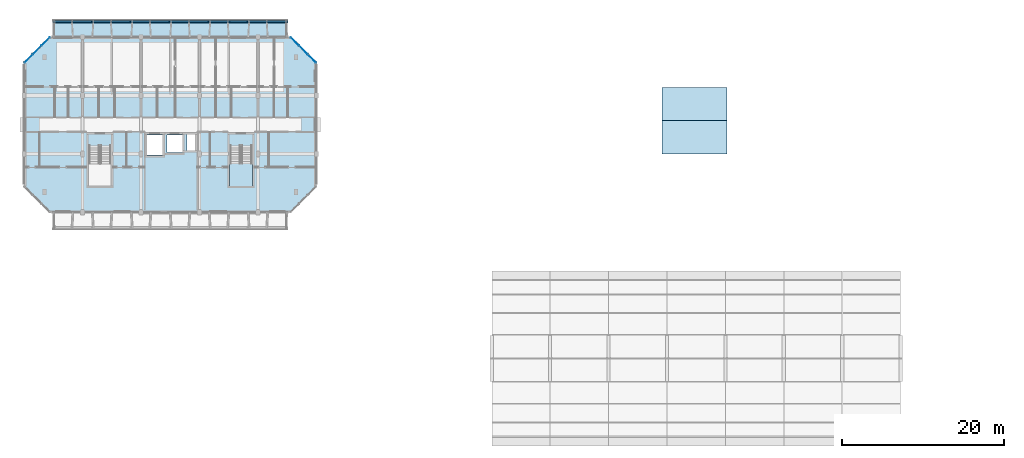
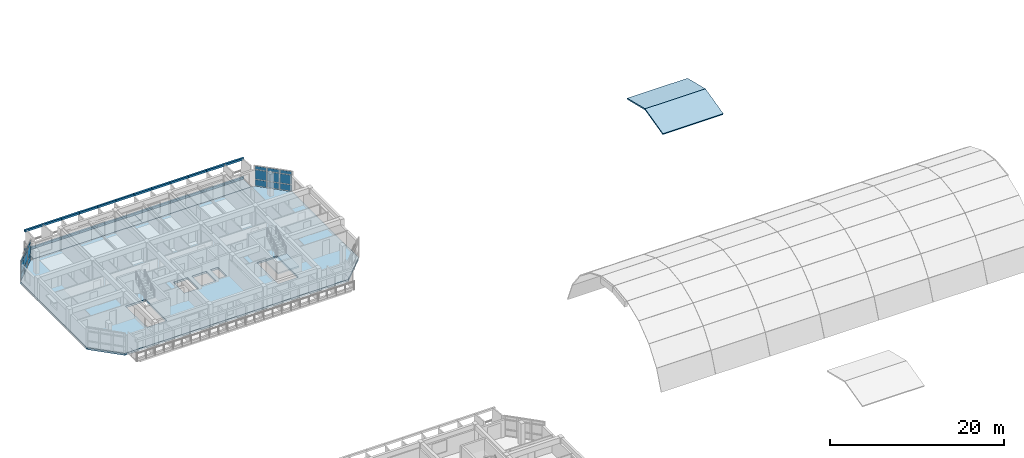
# One storey, part 16 of 51: 42 plates, 6 slabs, 3 elements without a shape of their own.
"""IFC4 building model written with IfcOpenShell, lengths in metres."""

from ifc_helpers import new_model, si_unit, direction, frame, origin, origin_2d, place, context, subcontext, project, spatial, polyline, rectangle, outline, extrude, material, layer, layer_set, type_object, element, aggregate, save


model = new_model("IFC4")

# Units and contexts
model_context = context("Model", 3, precision=1e-05, world=origin(), true_north=direction((0.0, 1.0)))
body_context = subcontext(model_context, "Body", "Model", "MODEL_VIEW")
ifc_project = project(units=[si_unit("LENGTHUNIT", "METRE"), si_unit("AREAUNIT", "SQUARE_METRE"), si_unit("VOLUMEUNIT", "CUBIC_METRE"), si_unit("PLANEANGLEUNIT", "RADIAN"), si_unit("MASSUNIT", "GRAM", prefix="KILO")], contexts=[model_context])

# Site, building, storey
site_placement = place(None, origin())
site = spatial("IfcSite", under=ifc_project, at=site_placement, CompositionType="ELEMENT")
building_placement = place(site_placement, origin())
building = spatial("IfcBuilding", under=site, at=building_placement, Name="Ochrevale Crest", CompositionType="ELEMENT")
storey_placement = place(building_placement, frame((0.0, 0.0, 11.85009765625)))
storey = spatial("IfcBuildingStorey", under=building, at=storey_placement, Name="L03", CompositionType="ELEMENT", Elevation=11.85009765625)

# Curtain wall, plates
ifc_material_1 = material(Name="Anodised aluminium 6063-T5", Category="aluminium")
ifc_layer_1 = layer(ifc_material_1, 0.14990234375)
ifc_layer_set_1 = layer_set([ifc_layer_1], Name="Anodised aluminium 6063-T5")
curtain_wall_type_1 = type_object("IfcCurtainWallType", Name="CW-WG-320x285", PredefinedType="NOTDEFINED", material=ifc_layer_set_1)
curtain_wall_1_placement = place(storey_placement, origin())
curtain_wall_1 = element("IfcCurtainWall", 1, at=curtain_wall_1_placement, inside=storey, type_object=curtain_wall_type_1, Name="Block B L03 chamfered corner wintergarden curtain wall 4", PredefinedType="NOTDEFINED")
ifc_material_2 = material(Name="Double-glazed low-E insulated glass unit", Category="glass")
ifc_layer_2 = layer(ifc_material_2, 0.028076171875)
ifc_layer_set_2 = layer_set([ifc_layer_2], Name="Double-glazed low-E insulated glass unit")
plate_type_1 = type_object("IfcPlateType", Name="CW-PNL-IGU28", PredefinedType="CURTAIN_PANEL", material=ifc_layer_set_2)
plate_1_placement = place(storey_placement, frame((35.453369140625, 90.946533203125, 0.06005859375), z_axis=(0.0, 0.0, 1.0), x_axis=(-0.707106781187, 0.707106781187, 0.0)))
plate_1 = element("IfcPlate", 2, at=plate_1_placement, type_object=plate_type_1, Name="CW17 panel 1.1", PredefinedType="CURTAIN_PANEL", context=body_context, shape_type="SweptSolid", body=[
    extrude(rectangle(XDim=1.39599609375, YDim=0.028076171875, at=origin_2d()), origin(), (0.0, 0.0, 1.0), 0.860107421875),
])
plate_2_placement = place(storey_placement, frame((35.453369140625, 90.946533203125, 0.97998046875), z_axis=(0.0, 0.0, 1.0), x_axis=(-0.707106781187, 0.707106781187, 0.0)))
plate_2 = element("IfcPlate", 3, at=plate_2_placement, type_object=plate_type_1, Name="CW17 panel 1.2", PredefinedType="CURTAIN_PANEL", context=body_context, shape_type="SweptSolid", body=[
    extrude(rectangle(XDim=1.39599609375, YDim=0.028076171875, at=origin_2d()), origin(), (0.0, 0.0, 1.0), 1.31494140625),
])
plate_3_placement = place(storey_placement, frame((35.453369140625, 90.946533203125, 2.35498046875), z_axis=(0.0, 0.0, 1.0), x_axis=(-0.707106781187, 0.707106781187, 0.0)))
plate_3 = element("IfcPlate", 4, at=plate_3_placement, type_object=plate_type_1, Name="CW17 panel 1.3", PredefinedType="CURTAIN_PANEL", context=body_context, shape_type="SweptSolid", body=[
    extrude(rectangle(XDim=1.39599609375, YDim=0.028076171875, at=origin_2d()), origin(), (0.0, 0.0, 1.0), 0.4599609375),
])
plate_4_placement = place(storey_placement, frame((34.39990234375, 92.0, 0.06005859375), z_axis=(0.0, 0.0, 1.0), x_axis=(-0.707106781187, 0.707106781187, 0.0)))
plate_4 = element("IfcPlate", 5, at=plate_4_placement, type_object=plate_type_1, Name="CW17 panel 2.1", PredefinedType="CURTAIN_PANEL", context=body_context, shape_type="SweptSolid", body=[
    extrude(rectangle(XDim=1.43359375, YDim=0.028076171875, at=origin_2d()), origin(), (0.0, 0.0, 1.0), 0.860107421875),
])
plate_5_placement = place(storey_placement, frame((34.39990234375, 92.0, 0.97998046875), z_axis=(0.0, 0.0, 1.0), x_axis=(-0.707106781187, 0.707106781187, 0.0)))
plate_5 = element("IfcPlate", 6, at=plate_5_placement, type_object=plate_type_1, Name="CW17 panel 2.2", PredefinedType="CURTAIN_PANEL", context=body_context, shape_type="SweptSolid", body=[
    extrude(rectangle(XDim=1.43359375, YDim=0.028076171875, at=origin_2d()), origin(), (0.0, 0.0, 1.0), 1.31494140625),
])
plate_6_placement = place(storey_placement, frame((34.39990234375, 92.0, 2.35498046875), z_axis=(0.0, 0.0, 1.0), x_axis=(-0.707106781187, 0.707106781187, 0.0)))
plate_6 = element("IfcPlate", 7, at=plate_6_placement, type_object=plate_type_1, Name="CW17 panel 2.3", PredefinedType="CURTAIN_PANEL", context=body_context, shape_type="SweptSolid", body=[
    extrude(rectangle(XDim=1.43359375, YDim=0.028076171875, at=origin_2d()), origin(), (0.0, 0.0, 1.0), 0.4599609375),
])
plate_7_placement = place(storey_placement, frame((33.3466796875, 93.053466796875, 0.06005859375), z_axis=(0.0, 0.0, 1.0), x_axis=(-0.707106781187, 0.707106781187, 0.0)))
plate_7 = element("IfcPlate", 8, at=plate_7_placement, type_object=plate_type_1, Name="CW17 panel 3.1", PredefinedType="CURTAIN_PANEL", context=body_context, shape_type="SweptSolid", body=[
    extrude(rectangle(XDim=1.39599609375, YDim=0.028076171875, at=origin_2d()), origin(), (0.0, 0.0, 1.0), 0.860107421875),
])
plate_8_placement = place(storey_placement, frame((33.3466796875, 93.053466796875, 0.97998046875), z_axis=(0.0, 0.0, 1.0), x_axis=(-0.707106781187, 0.707106781187, 0.0)))
plate_8 = element("IfcPlate", 9, at=plate_8_placement, type_object=plate_type_1, Name="CW17 panel 3.2", PredefinedType="CURTAIN_PANEL", context=body_context, shape_type="SweptSolid", body=[
    extrude(rectangle(XDim=1.39599609375, YDim=0.028076171875, at=origin_2d()), origin(), (0.0, 0.0, 1.0), 1.31494140625),
])
plate_9_placement = place(storey_placement, frame((33.3466796875, 93.053466796875, 2.35498046875), z_axis=(0.0, 0.0, 1.0), x_axis=(-0.707106781187, 0.707106781187, 0.0)))
plate_9 = element("IfcPlate", 10, at=plate_9_placement, type_object=plate_type_1, Name="CW17 panel 3.3", PredefinedType="CURTAIN_PANEL", context=body_context, shape_type="SweptSolid", body=[
    extrude(rectangle(XDim=1.39599609375, YDim=0.028076171875, at=origin_2d()), origin(), (0.0, 0.0, 1.0), 0.4599609375),
])
aggregate(curtain_wall_1, [plate_1, plate_2, plate_3, plate_4, plate_5, plate_6, plate_7, plate_8, plate_9])

ifc_layer_3 = layer(ifc_material_1, 0.14990234375)
ifc_layer_set_3 = layer_set([ifc_layer_3], Name="Anodised aluminium 6063-T5")
curtain_wall_type_2 = type_object("IfcCurtainWallType", Name="CW-WG-420x285", PredefinedType="NOTDEFINED", material=ifc_layer_set_3)
curtain_wall_2_placement = place(storey_placement, origin())
curtain_wall_2 = element("IfcCurtainWall", 11, at=curtain_wall_2_placement, inside=storey, type_object=curtain_wall_type_2, Name="Block B L03 chamfered corner wintergarden curtain wall 6", PredefinedType="NOTDEFINED")
plate_10_placement = place(storey_placement, frame((2.6533203125, 93.053466796875, 0.06005859375), z_axis=(0.0, 0.0, 1.0), x_axis=(-0.707106781187, -0.707106781187, 0.0)))
plate_10 = element("IfcPlate", 12, at=plate_10_placement, type_object=plate_type_1, Name="CW22 panel 1.1", PredefinedType="CURTAIN_PANEL", context=body_context, shape_type="SweptSolid", body=[
    extrude(rectangle(XDim=1.39599609375, YDim=0.028076171875, at=origin_2d()), origin(), (0.0, 0.0, 1.0), 0.860107421875),
])
plate_11_placement = place(storey_placement, frame((2.6533203125, 93.053466796875, 0.97998046875), z_axis=(0.0, 0.0, 1.0), x_axis=(-0.707106781187, -0.707106781187, 0.0)))
plate_11 = element("IfcPlate", 13, at=plate_11_placement, type_object=plate_type_1, Name="CW22 panel 1.2", PredefinedType="CURTAIN_PANEL", context=body_context, shape_type="SweptSolid", body=[
    extrude(rectangle(XDim=1.39599609375, YDim=0.028076171875, at=origin_2d()), origin(), (0.0, 0.0, 1.0), 1.31494140625),
])
plate_12_placement = place(storey_placement, frame((2.6533203125, 93.053466796875, 2.35498046875), z_axis=(0.0, 0.0, 1.0), x_axis=(-0.707106781187, -0.707106781187, 0.0)))
plate_12 = element("IfcPlate", 14, at=plate_12_placement, type_object=plate_type_1, Name="CW22 panel 1.3", PredefinedType="CURTAIN_PANEL", context=body_context, shape_type="SweptSolid", body=[
    extrude(rectangle(XDim=1.39599609375, YDim=0.028076171875, at=origin_2d()), origin(), (0.0, 0.0, 1.0), 0.4599609375),
])
plate_13_placement = place(storey_placement, frame((1.60009765625, 92.0, 0.06005859375), z_axis=(0.0, 0.0, 1.0), x_axis=(-0.707106781187, -0.707106781187, 0.0)))
plate_13 = element("IfcPlate", 15, at=plate_13_placement, type_object=plate_type_1, Name="CW22 panel 2.1", PredefinedType="CURTAIN_PANEL", context=body_context, shape_type="SweptSolid", body=[
    extrude(rectangle(XDim=1.43359375, YDim=0.028076171875, at=origin_2d()), origin(), (0.0, 0.0, 1.0), 0.860107421875),
])
plate_14_placement = place(storey_placement, frame((1.60009765625, 92.0, 0.97998046875), z_axis=(0.0, 0.0, 1.0), x_axis=(-0.707106781187, -0.707106781187, 0.0)))
plate_14 = element("IfcPlate", 16, at=plate_14_placement, type_object=plate_type_1, Name="CW22 panel 2.2", PredefinedType="CURTAIN_PANEL", context=body_context, shape_type="SweptSolid", body=[
    extrude(rectangle(XDim=1.43359375, YDim=0.028076171875, at=origin_2d()), origin(), (0.0, 0.0, 1.0), 1.31494140625),
])
plate_15_placement = place(storey_placement, frame((1.60009765625, 92.0, 2.35498046875), z_axis=(0.0, 0.0, 1.0), x_axis=(-0.707106781187, -0.707106781187, 0.0)))
plate_15 = element("IfcPlate", 17, at=plate_15_placement, type_object=plate_type_1, Name="CW22 panel 2.3", PredefinedType="CURTAIN_PANEL", context=body_context, shape_type="SweptSolid", body=[
    extrude(rectangle(XDim=1.43359375, YDim=0.028076171875, at=origin_2d()), origin(), (0.0, 0.0, 1.0), 0.4599609375),
])
plate_16_placement = place(storey_placement, frame((0.546630859375, 90.946533203125, 0.06005859375), z_axis=(0.0, 0.0, 1.0), x_axis=(-0.707106781187, -0.707106781187, 0.0)))
plate_16 = element("IfcPlate", 18, at=plate_16_placement, type_object=plate_type_1, Name="CW22 panel 3.1", PredefinedType="CURTAIN_PANEL", context=body_context, shape_type="SweptSolid", body=[
    extrude(rectangle(XDim=1.39599609375, YDim=0.028076171875, at=origin_2d()), origin(), (0.0, 0.0, 1.0), 0.860107421875),
])
plate_17_placement = place(storey_placement, frame((0.546630859375, 90.946533203125, 0.97998046875), z_axis=(0.0, 0.0, 1.0), x_axis=(-0.707106781187, -0.707106781187, 0.0)))
plate_17 = element("IfcPlate", 19, at=plate_17_placement, type_object=plate_type_1, Name="CW22 panel 3.2", PredefinedType="CURTAIN_PANEL", context=body_context, shape_type="SweptSolid", body=[
    extrude(rectangle(XDim=1.39599609375, YDim=0.028076171875, at=origin_2d()), origin(), (0.0, 0.0, 1.0), 1.31494140625),
])
plate_18_placement = place(storey_placement, frame((0.546630859375, 90.946533203125, 2.35498046875), z_axis=(0.0, 0.0, 1.0), x_axis=(-0.707106781187, -0.707106781187, 0.0)))
plate_18 = element("IfcPlate", 20, at=plate_18_placement, type_object=plate_type_1, Name="CW22 panel 3.3", PredefinedType="CURTAIN_PANEL", context=body_context, shape_type="SweptSolid", body=[
    extrude(rectangle(XDim=1.39599609375, YDim=0.028076171875, at=origin_2d()), origin(), (0.0, 0.0, 1.0), 0.4599609375),
])
aggregate(curtain_wall_2, [plate_10, plate_11, plate_12, plate_13, plate_14, plate_15, plate_16, plate_17, plate_18])

# Plates
ifc_material_3 = material(Name="Precast concrete C40/50", Category="concrete")
ifc_layer_4 = layer(ifc_material_3, 0.06005859375)
ifc_layer_set_4 = layer_set([ifc_layer_4], Name="Precast concrete C40/50")
plate_type_2 = type_object("IfcPlateType", Name="PLT-HC-HEAD-60", PredefinedType="USERDEFINED", material=ifc_layer_set_4)
for number, where, z_axis, x_axis, name in (
    (21, (4.800048828125, 95.5, 2.669921875), (0.0, 0.0, 1.0), (1.0, 0.0, 0.0), "Block B L03 N honeycomb arched lintel fascia 1"),
    (22, (7.199951171875, 95.5, 2.669921875), (0.0, 0.0, 1.0), (1.0, 0.0, 0.0), "Block B L03 N honeycomb arched lintel fascia 2"),
    (23, (9.60009765625, 95.5, 2.669921875), (0.0, 0.0, 1.0), (1.0, 0.0, 0.0), "Block B L03 N honeycomb arched lintel fascia 3"),
    (24, (12.0, 95.5, 2.669921875), (0.0, 0.0, 1.0), (1.0, 0.0, 0.0), "Block B L03 N honeycomb arched lintel fascia 4"),
    (25, (14.39990234375, 95.5, 2.669921875), (0.0, 0.0, 1.0), (1.0, 0.0, 0.0), "Block B L03 N honeycomb arched lintel fascia 5"),
    (26, (16.800048828125, 95.5, 2.669921875), (0.0, 0.0, 1.0), (1.0, 0.0, 0.0), "Block B L03 N honeycomb arched lintel fascia 6"),
    (27, (19.199951171875, 95.5, 2.669921875), (0.0, 0.0, 1.0), (1.0, 0.0, 0.0), "Block B L03 N honeycomb arched lintel fascia 7"),
    (28, (21.60009765625, 95.5, 2.669921875), (0.0, 0.0, 1.0), (1.0, 0.0, 0.0), "Block B L03 N honeycomb arched lintel fascia 8"),
    (29, (24.0, 95.5, 2.669921875), (0.0, 0.0, 1.0), (1.0, 0.0, 0.0), "Block B L03 N honeycomb arched lintel fascia 9"),
    (30, (26.39990234375, 95.5, 2.669921875), (0.0, 0.0, 1.0), (1.0, 0.0, 0.0), "Block B L03 N honeycomb arched lintel fascia 10"),
    (31, (28.800048828125, 95.5, 2.669921875), (0.0, 0.0, 1.0), (1.0, 0.0, 0.0), "Block B L03 N honeycomb arched lintel fascia 11"),
    (32, (31.199951171875, 95.5, 2.669921875), (0.0, 0.0, 1.0), (1.0, 0.0, 0.0), "Block B L03 N honeycomb arched lintel fascia 12"),
):
    element("IfcPlate", number, at=place(storey_placement, frame(where, z_axis=z_axis, x_axis=x_axis)), inside=storey, type_object=plate_type_2, Name=name, ObjectType="FACADE FASCIA PLATE", PredefinedType="USERDEFINED", context=body_context, shape_type="SweptSolid", body=[
        extrude(rectangle(XDim=2.60009765625, YDim=0.239990234375, at=origin_2d()), origin(), (0.0, 0.0, 1.0), 0.280029296875),
    ])
ifc_layer_5 = layer(ifc_material_3, 0.044921875)
ifc_layer_set_5 = layer_set([ifc_layer_5], Name="Precast concrete C40/50")
plate_type_3 = type_object("IfcPlateType", Name="PLT-HC-SILL-45", PredefinedType="USERDEFINED", material=ifc_layer_set_5)
for number, where, z_axis, x_axis, name in (
    (33, (4.800048828125, 95.5, 0.0), (0.0, 0.0, 1.0), (1.0, 0.0, 0.0), "Block B L03 N honeycomb sill coping plate 1"),
    (34, (7.199951171875, 95.5, 0.0), (0.0, 0.0, 1.0), (1.0, 0.0, 0.0), "Block B L03 N honeycomb sill coping plate 2"),
    (35, (9.60009765625, 95.5, 0.0), (0.0, 0.0, 1.0), (1.0, 0.0, 0.0), "Block B L03 N honeycomb sill coping plate 3"),
    (36, (12.0, 95.5, 0.0), (0.0, 0.0, 1.0), (1.0, 0.0, 0.0), "Block B L03 N honeycomb sill coping plate 4"),
    (37, (14.39990234375, 95.5, 0.0), (0.0, 0.0, 1.0), (1.0, 0.0, 0.0), "Block B L03 N honeycomb sill coping plate 5"),
    (38, (16.800048828125, 95.5, 0.0), (0.0, 0.0, 1.0), (1.0, 0.0, 0.0), "Block B L03 N honeycomb sill coping plate 6"),
    (39, (19.199951171875, 95.5, 0.0), (0.0, 0.0, 1.0), (1.0, 0.0, 0.0), "Block B L03 N honeycomb sill coping plate 7"),
    (40, (21.60009765625, 95.5, 0.0), (0.0, 0.0, 1.0), (1.0, 0.0, 0.0), "Block B L03 N honeycomb sill coping plate 8"),
    (41, (24.0, 95.5, 0.0), (0.0, 0.0, 1.0), (1.0, 0.0, 0.0), "Block B L03 N honeycomb sill coping plate 9"),
    (42, (26.39990234375, 95.5, 0.0), (0.0, 0.0, 1.0), (1.0, 0.0, 0.0), "Block B L03 N honeycomb sill coping plate 10"),
    (43, (28.800048828125, 95.5, 0.0), (0.0, 0.0, 1.0), (1.0, 0.0, 0.0), "Block B L03 N honeycomb sill coping plate 11"),
    (44, (31.199951171875, 95.5, 0.0), (0.0, 0.0, 1.0), (1.0, 0.0, 0.0), "Block B L03 N honeycomb sill coping plate 12"),
):
    element("IfcPlate", number, at=place(storey_placement, frame(where, z_axis=z_axis, x_axis=x_axis)), inside=storey, type_object=plate_type_3, Name=name, ObjectType="SILL COPING PLATE", PredefinedType="USERDEFINED", context=body_context, shape_type="SweptSolid", body=[
        extrude(rectangle(XDim=2.60009765625, YDim=0.219970703125, at=origin_2d()), origin(), (0.0, 0.0, 1.0), 0.260009765625),
    ])

# Slabs
ifc_layer_6 = layer(ifc_material_3, 0.199951171875)
ifc_layer_set_6 = layer_set([ifc_layer_6], Name="Precast concrete C40/50")
slab_type_1 = type_object("IfcSlabType", Name="SLB-BAL-200", PredefinedType="FLOOR", material=ifc_layer_set_6)
slab_1_placement = place(storey_placement, frame((0.0, 0.0, -0.2001953125)))
element("IfcSlab", 45, at=slab_1_placement, inside=storey, type_object=slab_type_1, Name="Block B L03 N1 precast loggia balcony slab", PredefinedType="FLOOR", context=body_context, shape_type="SweptSolid", body=[
    extrude(outline(polyline([(3.60009765625, 93.60009765625), (18.0, 93.60009765625), (18.0, 95.699951171875), (4.050048828125, 95.699951171875), (3.60009765625, 95.25), (3.60009765625, 93.60009765625)])), origin(), (0.0, 0.0, 1.0), 0.2001953125),
])
slab_2_placement = place(storey_placement, frame((0.0, 0.0, -0.2001953125)))
element("IfcSlab", 46, at=slab_2_placement, inside=storey, type_object=slab_type_1, Name="Block B L03 N2 precast loggia balcony slab", PredefinedType="FLOOR", context=body_context, shape_type="SweptSolid", body=[
    extrude(outline(polyline([(18.0, 93.60009765625), (32.39990234375, 93.60009765625), (32.39990234375, 95.25), (31.949951171875, 95.699951171875), (18.0, 95.699951171875), (18.0, 93.60009765625)])), origin(), (0.0, 0.0, 1.0), 0.2001953125),
])
ifc_layer_7 = layer(ifc_material_3, 0.27490234375)
ifc_layer_set_7 = layer_set([ifc_layer_7], Name="Precast concrete C40/50")
slab_type_2 = type_object("IfcSlabType", Name="SLB-RES-275", PredefinedType="FLOOR", material=ifc_layer_set_7)
slab_3_placement = place(storey_placement, frame((0.0, 0.0, -0.275146484375)))
element("IfcSlab", 47, at=slab_3_placement, inside=storey, type_object=slab_type_2, Name="Block B L03 composite hollowcore floor slab", PredefinedType="FLOOR", context=body_context, shape_type="SweptSolid", body=[
    extrude(outline(polyline([(3.199951171875, 72.0), (32.800048828125, 72.0), (36.0, 75.199951171875), (36.0, 90.39990234375), (32.800048828125, 93.60009765625), (3.199951171875, 93.60009765625), (0.0, 90.39990234375), (0.0, 75.199951171875), (3.199951171875, 72.0)]), holes=[polyline([(8.0, 80.175048828125), (8.0, 75.27490234375), (10.64990234375, 75.27490234375), (10.64990234375, 80.175048828125), (8.0, 80.175048828125)]), polyline([(25.39990234375, 80.175048828125), (25.39990234375, 75.27490234375), (28.050048828125, 75.27490234375), (28.050048828125, 80.175048828125), (25.39990234375, 80.175048828125)]), polyline([(15.14990234375, 79.050048828125), (17.050048828125, 79.050048828125), (17.050048828125, 81.550048828125), (15.14990234375, 81.550048828125), (15.14990234375, 79.050048828125)]), polyline([(17.60009765625, 79.35009765625), (19.5, 79.35009765625), (19.5, 81.550048828125), (17.60009765625, 81.550048828125), (17.60009765625, 79.35009765625)]), polyline([(20.070068359375, 79.6201171875), (21.080078125, 79.6201171875), (21.080078125, 81.580078125), (20.070068359375, 81.580078125), (20.070068359375, 79.6201171875)])]), origin(), (0.0, 0.0, 1.0), 0.275146484375),
])
ifc_material_4 = material(Name="Concrete C40/50", Category="concrete")
ifc_layer_8 = layer(ifc_material_4, 0.179931640625)
ifc_layer_set_8 = layer_set([ifc_layer_8], Name="Concrete C40/50")
slab_type_3 = type_object("IfcSlabType", Name="SLB-ROOF-OVR-180", PredefinedType="ROOF", material=ifc_layer_set_8)
slab_4_placement = place(storey_placement, frame((78.60009765625, 79.199951171875, 0.0), z_axis=(0.0, -0.236950853242, 0.971521638024), x_axis=(1.0, 0.0, 0.0)))
element("IfcSlab", 48, at=slab_4_placement, inside=storey, type_object=slab_type_3, Name="Nursery roof-garden conservatory south pitched roof", PredefinedType="ROOF", context=body_context, shape_type="SweptSolid", body=[
    extrude(outline(polyline([(0.0, 0.0), (8.0, 0.0), (8.0, 4.220284444298363), (0.0, 4.220284444298363), (0.0, 0.0)])), origin(), (0.0, 0.0, -1.0), 0.179931640625),
])
slab_5_placement = place(storey_placement, frame((78.60009765625, 83.300048828125, 1.0), z_axis=(0.0, 0.23696417105, 0.971518389758), x_axis=(1.0, 0.0, 0.0)))
element("IfcSlab", 49, at=slab_5_placement, inside=storey, type_object=slab_type_3, Name="Nursery roof-garden conservatory north pitched roof", PredefinedType="ROOF", context=body_context, shape_type="SweptSolid", body=[
    extrude(outline(polyline([(0.0, 0.0), (8.0, 0.0), (8.0, 4.2200472567949605), (0.0, 4.2200472567949605), (0.0, 0.0)])), origin(), (0.0, 0.0, -1.0), 0.179931640625),
])

# Stair, slab
stair_type = type_object("IfcStairType", Name="ST-CORE-DOG", PredefinedType="HALF_TURN_STAIR", material=ifc_material_3)
stair_placement = place(storey_placement, origin())
stair = element("IfcStair", 50, at=stair_placement, inside=storey, type_object=stair_type, Name="L03 Block B Fire Stair 2", PredefinedType="HALF_TURN_STAIR")
ifc_layer_9 = layer(ifc_material_3, 0.199951171875)
ifc_layer_set_9 = layer_set([ifc_layer_9], Name="Precast concrete C40/50")
slab_type_4 = type_object("IfcSlabType", Name="SLB-ST-LAND", PredefinedType="LANDING", material=ifc_layer_set_9)
slab_6_placement = place(storey_placement, frame((0.0, 0.0, 1.375)))
slab_6 = element("IfcSlab", 51, at=slab_6_placement, type_object=slab_type_4, Name="ST-B2 landing 1", PredefinedType="LANDING", context=body_context, shape_type="SweptSolid", body=[
    extrude(outline(polyline([(25.320068359375, 78.06494140625), (25.320068359375, 75.195068359375), (28.1298828125, 75.195068359375), (28.1298828125, 78.06494140625), (25.320068359375, 78.06494140625)])), origin(), (0.0, 0.0, 1.0), 0.199951171875),
])
aggregate(stair, [slab_6])

save(model, "model.ifc")
